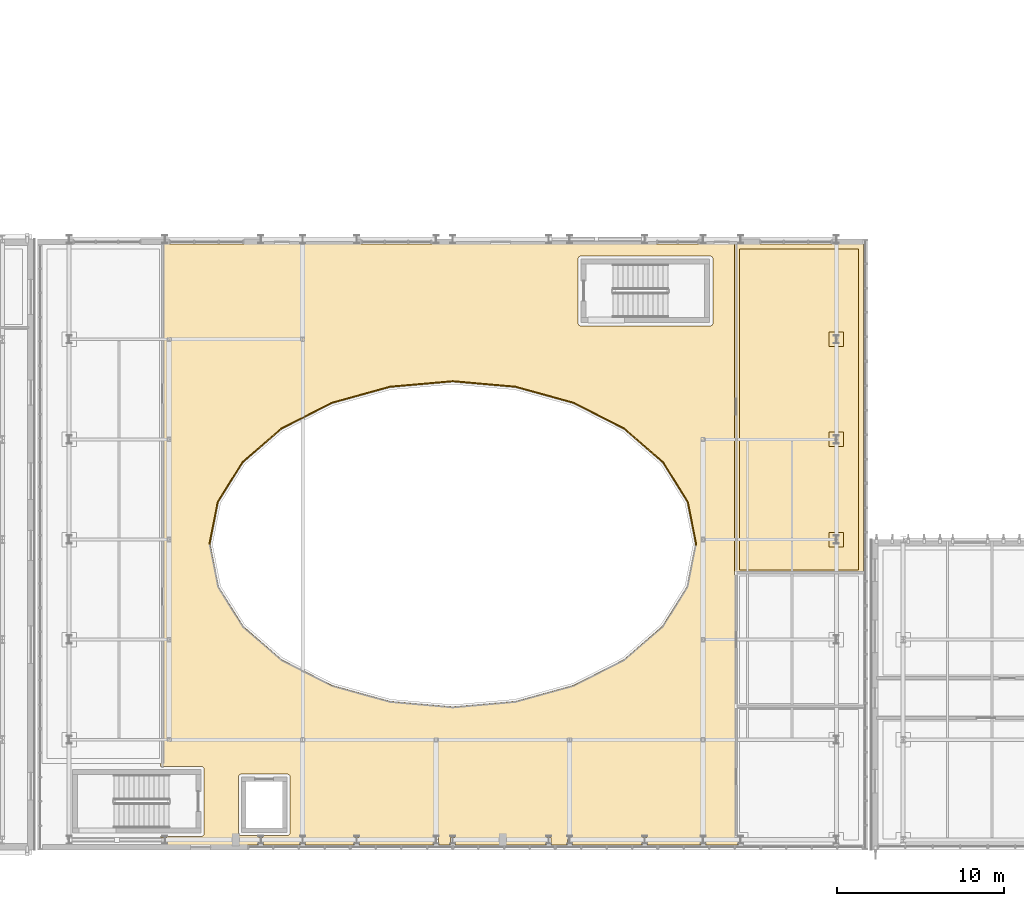
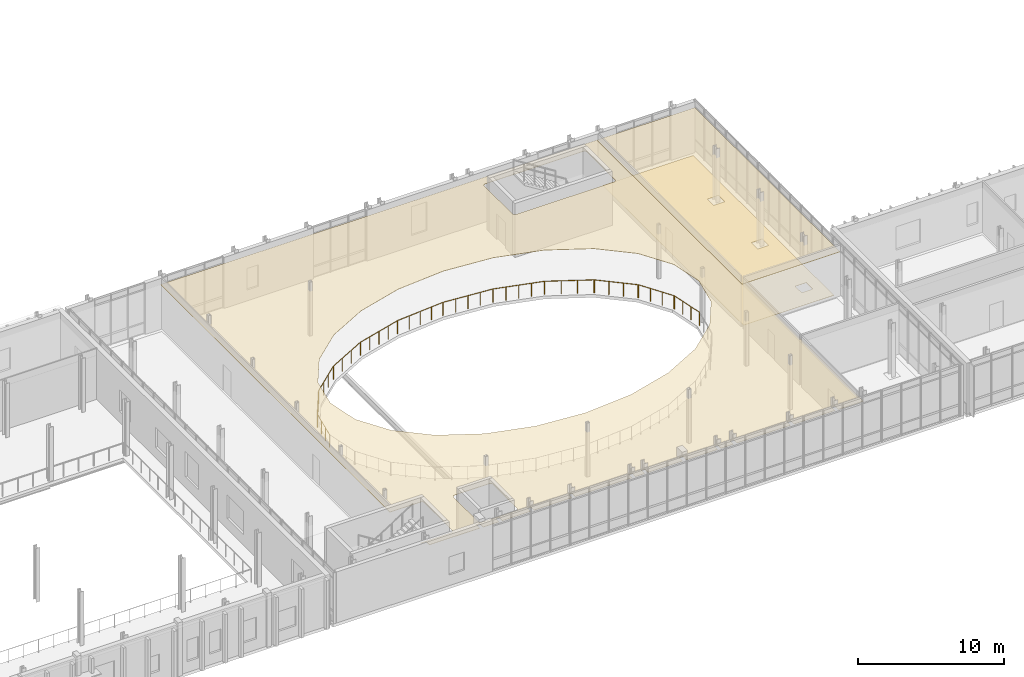
# One storey, part 90 of 100: 3 coverings, 1 railing.
"""IFC4 building model written with IfcOpenShell, lengths in metres."""

import ifcopenshell
import ifcopenshell.guid

model = None  # the IFC model being written
_history = None  # IfcOwnerHistory: only IFC2X3 demands one
_inside = {}  # id of a spatial element -> (the spatial element, [elements in it])
_under = {}  # id of a project, library or spatial element -> (it, [spatial elements below it])
_declared = {}  # id of a project -> (the project, [libraries it declares])
_typed = {}  # id of a type object -> (the type object, [elements of that type])
_made_of = {}  # id of a material, layer set ... -> (it, [elements and type objects made of it])


def new_model(schema):
    """Start an empty IFC model of exactly this schema.

    Asked for "IFC4X3", IfcOpenShell would pick the latest addendum, in which some entities
    have other attributes; the version numbers below select the first issue.
    IFC2X3 requires an IfcOwnerHistory on every rooted entity: one is made here for all.
    """
    global model, _history
    if schema == "IFC4X3":
        model = ifcopenshell.file(schema_version=(4, 3, 0, 0))
    else:
        model = ifcopenshell.file(schema=schema)
    _inside.clear()
    _under.clear()
    _declared.clear()
    _typed.clear()
    _made_of.clear()
    _history = None
    if model.schema == "IFC2X3":
        org = make("IfcOrganization", Name="unknown")
        user = make(
            "IfcPersonAndOrganization",
            ThePerson=make("IfcPerson", FamilyName="unknown"),
            TheOrganization=org,
        )
        app = make(
            "IfcApplication",
            ApplicationDeveloper=org,
            Version="unknown",
            ApplicationFullName="unknown",
            ApplicationIdentifier="unknown",
        )
        _history = make(
            "IfcOwnerHistory",
            OwningUser=user,
            OwningApplication=app,
            ChangeAction="ADDED",
            CreationDate=0,
        )
    return model


def make(cls, **values):
    """One entity of the class cls with the attributes given. An attribute that is None is left unset."""
    return model.create_entity(
        cls, **{name: value for name, value in values.items() if value is not None}
    )


def rooted(cls, **values):
    """An entity with a GlobalId (a new one), such as an element, a storey or a relation."""
    return make(cls, GlobalId=ifcopenshell.guid.new(), OwnerHistory=_history, **values)


def si_unit(unit_type, name, prefix=None):
    """IfcSIUnit, for example si_unit("LENGTHUNIT", "METRE", prefix="MILLI")."""
    return make("IfcSIUnit", UnitType=unit_type, Prefix=prefix, Name=name)


def assignment(units):
    """IfcUnitAssignment: the units of a project."""
    return None if units is None else make("IfcUnitAssignment", Units=units)


def point(xyz):
    """IfcCartesianPoint."""
    return None if xyz is None else make("IfcCartesianPoint", Coordinates=xyz)


def direction(xyz):
    """IfcDirection."""
    return None if xyz is None else make("IfcDirection", DirectionRatios=xyz)


def frame(location, z_axis=None, x_axis=None):
    """IfcAxis2Placement3D, a coordinate frame: its origin and axes. An axis left out is left unset."""
    return make(
        "IfcAxis2Placement3D",
        Location=point(location),
        Axis=direction(z_axis),
        RefDirection=direction(x_axis),
    )


def frame_2d(location, x_axis=None):
    """IfcAxis2Placement2D, a coordinate frame in the plane: its origin and x axis."""
    return make(
        "IfcAxis2Placement2D", Location=point(location), RefDirection=direction(x_axis)
    )


def origin():
    """The frame at (0, 0, 0) with its axes left unset."""
    return frame((0.0, 0.0, 0.0))


def origin_2d():
    """The frame at (0, 0) in the plane with its x axis left unset."""
    return frame_2d((0.0, 0.0))


def place(relative_to, where):
    """IfcLocalPlacement: puts the frame where relative to a parent placement (None: the world)."""
    return make(
        "IfcLocalPlacement", PlacementRelTo=relative_to, RelativePlacement=where
    )


def context(
    kind, dimensions, precision=None, world=None, true_north=None, identifier=None
):
    """IfcGeometricRepresentationContext, for example the 3D "Model" context."""
    return make(
        "IfcGeometricRepresentationContext",
        ContextIdentifier=identifier,
        ContextType=kind,
        CoordinateSpaceDimension=dimensions,
        Precision=precision,
        WorldCoordinateSystem=world,
        TrueNorth=true_north,
    )


def subcontext(parent, identifier, kind, view, scale=None):
    """IfcGeometricRepresentationSubContext, for example "Body" below "Model"."""
    return make(
        "IfcGeometricRepresentationSubContext",
        ContextIdentifier=identifier,
        ContextType=kind,
        ParentContext=parent,
        TargetScale=scale,
        TargetView=view,
    )


def project(units=None, contexts=None):
    """IfcProject with its units and contexts."""
    return rooted(
        "IfcProject",
        Name="project",
        RepresentationContexts=contexts,
        UnitsInContext=assignment(units),
    )


def spatial(cls, under=None, at=None, **own):
    """A site, building, storey or space (cls), placed at a placement, below another one or the project."""
    s = rooted(cls, ObjectPlacement=at, **own)
    if under is not None:
        _under.setdefault(under.id(), (under, []))[1].append(s)
    return s


def polyline(points):
    """IfcPolyline through the points."""
    return make("IfcPolyline", Points=[point(p) for p in points])


def profile(cls, at=None, kind="AREA", **sizes):
    """A parametric profile (cls). Its sizes go by their IFC names, for example OverallWidth=200.0."""
    return make(cls, ProfileType=kind, Position=at, **sizes)


def circle(**sizes):
    """IfcCircleProfileDef."""
    return profile("IfcCircleProfileDef", **sizes)


def outline(outer, holes=None, kind="AREA"):
    """IfcArbitraryClosedProfileDef: a profile drawn as a closed curve; with holes, ...WithVoids."""
    if holes is None:
        return make("IfcArbitraryClosedProfileDef", ProfileType=kind, OuterCurve=outer)
    return make(
        "IfcArbitraryProfileDefWithVoids",
        ProfileType=kind,
        OuterCurve=outer,
        InnerCurves=holes,
    )


def extrude(swept, where, along, depth):
    """IfcExtrudedAreaSolid: the profile swept, set in the frame where, extruded along a direction by depth."""
    return make(
        "IfcExtrudedAreaSolid",
        SweptArea=swept,
        Position=where,
        ExtrudedDirection=direction(along),
        Depth=depth,
    )


def shape(context_of_items, identifier, shape_type, items):
    """IfcShapeRepresentation: the items that make up one representation, for example the "Body"."""
    return make(
        "IfcShapeRepresentation",
        ContextOfItems=context_of_items,
        RepresentationIdentifier=identifier,
        RepresentationType=shape_type,
        Items=items,
    )


def material(Name=None, Category=None):
    """IfcMaterial."""
    return make("IfcMaterial", Name=Name, Category=Category)


def layer(
    of_material, thickness, ventilated=None, Name=None, Category=None, Priority=None
):
    """IfcMaterialLayer: one layer of a wall or slab, of a material (None: an air gap)."""
    return make(
        "IfcMaterialLayer",
        Material=of_material,
        LayerThickness=thickness,
        IsVentilated=ventilated,
        Name=Name,
        Category=Category,
        Priority=Priority,
    )


def layer_set(layers, Name=None):
    """IfcMaterialLayerSet."""
    return make("IfcMaterialLayerSet", MaterialLayers=layers, LayerSetName=Name)


def made_of(thing, what):
    """Note that an element or type object is made of a material, layer set ...; save() writes the relation."""
    if what is not None:
        _made_of.setdefault(what.id(), (what, []))[1].append(thing)
    return thing


def type_object(cls, material=None, **own):
    """A type object (cls), such as IfcWallType, which elements share."""
    return made_of(rooted(cls, **own), material)


def element(
    cls,
    number,
    at=None,
    inside=None,
    cuts=None,
    type_object=None,
    material=None,
    context=None,
    identifier="Body",
    shape_type=None,
    held_by="IfcProductDefinitionShape",
    body=None,
    shapes=None,
    **own,
):
    """One element of the class cls, such as IfcWall. Its Tag is "e" and its number.

    at: its placement. inside: the storey or other place that contains it. cuts: it is an
    opening in that element (IfcRelVoidsElement). A single representation is given by context,
    identifier, shape_type and body (its items); several are given by shapes. held_by: the class
    of the entity that holds the representations. save() writes the other relations.
    """
    e = rooted(cls, Tag="e%d" % number, ObjectPlacement=at, **own)
    if body is not None:
        shapes = [shape(context, identifier, shape_type, body)]
    if shapes is not None:
        e.Representation = make(held_by, Representations=shapes)
    if inside is not None:
        _inside.setdefault(inside.id(), (inside, []))[1].append(e)
    if cuts is not None:
        rooted(
            "IfcRelVoidsElement", RelatingBuildingElement=cuts, RelatedOpeningElement=e
        )
    if type_object is not None:
        _typed.setdefault(type_object.id(), (type_object, []))[1].append(e)
    return made_of(e, material)


def aggregate(whole, parts):
    """IfcRelAggregates: a whole, such as a stair, and the parts it consists of."""
    return rooted("IfcRelAggregates", RelatingObject=whole, RelatedObjects=parts)


def save(model, path):
    """Write the relations noted so far, then the file.

    IfcRelAggregates (storeys below a building ...), IfcRelContainedInSpatialStructure (elements
    in a storey), IfcRelDefinesByType, IfcRelAssociatesMaterial and IfcRelDeclares: one each for
    every whole, place, type object, material and project.
    """
    for whole, parts in _under.values():
        aggregate(whole, parts)
    for where, things in _inside.values():
        rooted(
            "IfcRelContainedInSpatialStructure",
            RelatedElements=things,
            RelatingStructure=where,
        )
    for kind, things in _typed.values():
        rooted("IfcRelDefinesByType", RelatedObjects=things, RelatingType=kind)
    for what, things in _made_of.values():
        rooted("IfcRelAssociatesMaterial", RelatedObjects=things, RelatingMaterial=what)
    for by, libraries in _declared.values():
        rooted("IfcRelDeclares", RelatingContext=by, RelatedDefinitions=libraries)
    model.write(path)


model = new_model("IFC4")

# Units and contexts
model_context = context("Model", 3, precision=1e-05, world=origin(), true_north=direction((0.0, 1.0)))
body_context = subcontext(model_context, "Body", "Model", "MODEL_VIEW")
ifc_project = project(units=[si_unit("LENGTHUNIT", "METRE"), si_unit("AREAUNIT", "SQUARE_METRE"), si_unit("VOLUMEUNIT", "CUBIC_METRE"), si_unit("PLANEANGLEUNIT", "RADIAN"), si_unit("MASSUNIT", "GRAM", prefix="KILO")], contexts=[model_context])

# Site, building, storey
site_placement = place(None, origin())
site = spatial("IfcSite", under=ifc_project, at=site_placement, CompositionType="ELEMENT")
building_placement = place(site_placement, origin())
building = spatial("IfcBuilding", under=site, at=building_placement, Name="Cymarion Research Institute", CompositionType="ELEMENT")
storey_placement = place(building_placement, frame((0.0, 0.0, 9.300048828125)))
storey = spatial("IfcBuildingStorey", under=building, at=storey_placement, Name="L02", CompositionType="ELEMENT", Elevation=9.300048828125)

# Coverings
ifc_material_1 = material(Name="Micro-perforated mineral acoustic ceiling tile", Category="gypsum")
ifc_layer_1 = layer(ifc_material_1, 0.030029296875)
ifc_layer_set_1 = layer_set([ifc_layer_1], Name="Micro-perforated mineral acoustic ceiling tile")
covering_type_1 = type_object("IfcCoveringType", Name="ACOUSTIC MICRO-PERFORATED SUSPENDED CEILING CLG-01", PredefinedType="CEILING", material=ifc_layer_set_1)
covering_1_placement = place(storey_placement, frame((0.0, 0.0, 3.699951171875)))
element("IfcCovering", 1, at=covering_1_placement, inside=storey, type_object=covering_type_1, Name="L02 L02 Curved Interaction Atrium Collaboration Gallery acoustic ceiling", PredefinedType="CEILING", context=body_context, shape_type="SweptSolid", body=[
    extrude(outline(polyline([(62.0849609375, 41.215087890625), (96.715087890625, 41.215087890625), (96.715087890625, 5.18505859375), (94.735107421875, 5.18505859375), (94.735107421875, 5.635009765625), (94.465087890625, 5.635009765625), (94.465087890625, 5.18505859375), (91.235107421875, 5.18505859375), (91.235107421875, 5.635009765625), (90.965087890625, 5.635009765625), (90.965087890625, 5.18505859375), (86.735107421875, 5.18505859375), (86.735107421875, 5.635009765625), (86.465087890625, 5.635009765625), (86.465087890625, 5.18505859375), (85.485107421875, 5.18505859375), (85.485107421875, 5.635009765625), (85.215087890625, 5.635009765625), (85.215087890625, 5.18505859375), (82.735107421875, 5.18505859375), (82.735107421875, 5.635009765625), (82.465087890625, 5.635009765625), (82.465087890625, 5.18505859375), (79.735107421875, 5.18505859375), (79.735107421875, 5.635009765625), (79.465087890625, 5.635009765625), (79.465087890625, 5.18505859375), (78.735107421875, 5.18505859375), (78.735107421875, 5.635009765625), (78.465087890625, 5.635009765625), (78.465087890625, 5.18505859375), (73.985107421875, 5.18505859375), (73.985107421875, 5.635009765625), (73.715087890625, 5.635009765625), (73.715087890625, 5.18505859375), (70.735107421875, 5.18505859375), (70.735107421875, 5.635009765625), (70.465087890625, 5.635009765625), (70.465087890625, 5.18505859375), (68.235107421875, 5.18505859375), (68.235107421875, 5.635009765625), (67.965087890625, 5.635009765625), (67.965087890625, 5.18505859375), (66.735107421875, 5.18505859375), (66.735107421875, 5.635009765625), (66.465087890625, 5.635009765625), (66.465087890625, 5.18505859375), (62.485107421875, 5.18505859375), (62.485107421875, 5.635009765625), (62.0849609375, 5.635009765625), (62.0849609375, 5.699951171875), (64.5, 5.699951171875), (64.51953125, 5.700927734375), (64.5390625, 5.703857421875), (64.55810546875, 5.70849609375), (64.576416015625, 5.715087890625), (64.59423828125, 5.7236328125), (64.611083984375, 5.733642578125), (64.626953125, 5.745361328125), (64.641357421875, 5.758544921875), (64.654541015625, 5.773193359375), (64.666259765625, 5.788818359375), (64.676513671875, 5.8056640625), (64.684814453125, 5.823486328125), (64.69140625, 5.841796875), (64.6962890625, 5.861083984375), (64.698974609375, 5.88037109375), (64.699951171875, 5.89990234375), (64.699951171875, 9.699951171875), (64.698974609375, 9.719482421875), (64.6962890625, 9.739013671875), (64.69140625, 9.758056640625), (64.684814453125, 9.776611328125), (64.676513671875, 9.794189453125), (64.666259765625, 9.81103515625), (64.654541015625, 9.826904296875), (64.641357421875, 9.84130859375), (64.626953125, 9.8544921875), (64.611083984375, 9.8662109375), (64.59423828125, 9.87646484375), (64.576416015625, 9.884765625), (64.55810546875, 9.891357421875), (64.5390625, 9.896240234375), (64.51953125, 9.89892578125), (64.5, 9.89990234375), (62.0849609375, 9.89990234375), (62.0849609375, 41.215087890625)]), holes=[polyline([(93.643798828125, 25.7001953125), (93.618408203125, 25.764892578125), (92.1640625, 28.09619140625), (89.857421875, 30.099365234375), (86.82421875, 31.647216796875), (83.350830078125, 32.605224609375), (79.60009765625, 32.9345703125), (75.84912109375, 32.605224609375), (72.375732421875, 31.647216796875), (69.342529296875, 30.099365234375), (67.035888671875, 28.09619140625), (65.581787109375, 25.764892578125), (65.55615234375, 25.700439453125), (65.0673828125, 23.199951171875), (65.55615234375, 20.69970703125), (65.581787109375, 20.635009765625), (67.035888671875, 18.303955078125), (69.342529296875, 16.30078125), (72.375732421875, 14.7529296875), (75.84912109375, 13.794677734375), (79.60009765625, 13.465576171875), (83.350830078125, 13.794677734375), (86.82421875, 14.7529296875), (89.857421875, 16.30078125), (92.1640625, 18.303955078125), (93.618408203125, 20.635009765625), (93.643798828125, 20.69970703125), (94.130859375, 23.165283203125), (94.13330078125, 23.216064453125), (93.643798828125, 25.7001953125)]), polyline([(66.910888671875, 5.75390625), (66.930419921875, 5.7509765625), (66.949951171875, 5.75), (69.64990234375, 5.75), (69.669677734375, 5.7509765625), (69.68896484375, 5.75390625), (69.7080078125, 5.758544921875), (69.7265625, 5.76513671875), (69.744384765625, 5.773681640625), (69.760986328125, 5.78369140625), (69.77685546875, 5.79541015625), (69.79150390625, 5.80859375), (69.8046875, 5.822998046875), (69.81640625, 5.8388671875), (69.826416015625, 5.855712890625), (69.834716796875, 5.87353515625), (69.84130859375, 5.891845703125), (69.84619140625, 5.910888671875), (69.84912109375, 5.930419921875), (69.85009765625, 5.949951171875), (69.85009765625, 9.25), (69.84912109375, 9.26953125), (69.84619140625, 9.2890625), (69.84130859375, 9.30810546875), (69.834716796875, 9.326416015625), (69.826416015625, 9.34423828125), (69.81640625, 9.361083984375), (69.8046875, 9.376953125), (69.79150390625, 9.391357421875), (69.77685546875, 9.404541015625), (69.760986328125, 9.416259765625), (69.744384765625, 9.426513671875), (69.7265625, 9.434814453125), (69.7080078125, 9.44140625), (69.68896484375, 9.4462890625), (69.669677734375, 9.448974609375), (69.64990234375, 9.449951171875), (66.949951171875, 9.449951171875), (66.930419921875, 9.448974609375), (66.910888671875, 9.4462890625), (66.891845703125, 9.44140625), (66.87353515625, 9.434814453125), (66.855712890625, 9.426513671875), (66.8388671875, 9.416259765625), (66.822998046875, 9.404541015625), (66.80859375, 9.391357421875), (66.79541015625, 9.376953125), (66.78369140625, 9.361083984375), (66.773681640625, 9.34423828125), (66.76513671875, 9.326416015625), (66.758544921875, 9.30810546875), (66.75390625, 9.2890625), (66.7509765625, 9.26953125), (66.75, 9.25), (66.75, 5.949951171875), (66.7509765625, 5.930419921875), (66.75390625, 5.910888671875), (66.758544921875, 5.891845703125), (66.76513671875, 5.87353515625), (66.773681640625, 5.855712890625), (66.78369140625, 5.8388671875), (66.79541015625, 5.822998046875), (66.80859375, 5.80859375), (66.822998046875, 5.79541015625), (66.8388671875, 5.78369140625), (66.855712890625, 5.773681640625), (66.87353515625, 5.76513671875), (66.891845703125, 5.758544921875), (66.910888671875, 5.75390625)]), polyline([(87.241943359375, 36.30859375), (87.260986328125, 36.3037109375), (87.280517578125, 36.301025390625), (87.300048828125, 36.300048828125), (95.0, 36.300048828125), (95.01953125, 36.301025390625), (95.0390625, 36.3037109375), (95.05810546875, 36.30859375), (95.076416015625, 36.315185546875), (95.09423828125, 36.323486328125), (95.111083984375, 36.333740234375), (95.126953125, 36.345458984375), (95.141357421875, 36.358642578125), (95.154541015625, 36.373046875), (95.166259765625, 36.388916015625), (95.176513671875, 36.40576171875), (95.184814453125, 36.423583984375), (95.19140625, 36.44189453125), (95.1962890625, 36.4609375), (95.198974609375, 36.48046875), (95.199951171875, 36.5), (95.199951171875, 40.300048828125), (95.198974609375, 40.319580078125), (95.1962890625, 40.339111328125), (95.19140625, 40.358154296875), (95.184814453125, 40.37646484375), (95.176513671875, 40.394287109375), (95.166259765625, 40.4111328125), (95.154541015625, 40.427001953125), (95.141357421875, 40.44140625), (95.126953125, 40.45458984375), (95.111083984375, 40.46630859375), (95.09423828125, 40.476318359375), (95.076416015625, 40.48486328125), (95.05810546875, 40.491455078125), (95.0390625, 40.49609375), (95.01953125, 40.4990234375), (95.0, 40.5), (87.300048828125, 40.5), (87.280517578125, 40.4990234375), (87.260986328125, 40.49609375), (87.241943359375, 40.491455078125), (87.223388671875, 40.48486328125), (87.205810546875, 40.476318359375), (87.18896484375, 40.46630859375), (87.173095703125, 40.45458984375), (87.15869140625, 40.44140625), (87.1455078125, 40.427001953125), (87.1337890625, 40.4111328125), (87.12353515625, 40.394287109375), (87.115234375, 40.37646484375), (87.108642578125, 40.358154296875), (87.103759765625, 40.339111328125), (87.10107421875, 40.319580078125), (87.10009765625, 40.300048828125), (87.10009765625, 36.5), (87.10107421875, 36.48046875), (87.103759765625, 36.4609375), (87.108642578125, 36.44189453125), (87.115234375, 36.423583984375), (87.12353515625, 36.40576171875), (87.1337890625, 36.388916015625), (87.1455078125, 36.373046875), (87.15869140625, 36.358642578125), (87.173095703125, 36.345458984375), (87.18896484375, 36.333740234375), (87.205810546875, 36.323486328125), (87.223388671875, 36.315185546875), (87.241943359375, 36.30859375)])]), origin(), (0.0, 0.0, 1.0), 0.030029296875),
])
covering_2_placement = place(storey_placement, frame((0.0, 0.0, 3.699951171875)))
element("IfcCovering", 2, at=covering_2_placement, inside=storey, type_object=covering_type_1, Name="L02 L02 Scientific Periodicals & Write-Up Reading Room acoustic ceiling", PredefinedType="CEILING", context=body_context, shape_type="SweptSolid", body=[
    extrude(outline(polyline([(104.215087890625, 41.215087890625), (104.215087890625, 21.385009765625), (96.485107421875, 21.385009765625), (96.485107421875, 41.215087890625), (104.215087890625, 41.215087890625)])), origin(), (0.0, 0.0, 1.0), 0.030029296875),
])

# Railing
ifc_material_2 = material(Name="Steel S355", Category="steel")
railing_type = type_object("IfcRailingType", Name="LAMINATED GLASS AND STEEL BALUSTRADE BAL1 1120MM", PredefinedType="BALUSTRADE", material=ifc_material_2)
railing_placement = place(storey_placement, frame((65.0234375, 23.23486328125, 0.0)))
element("IfcRailing", 3, at=railing_placement, inside=storey, type_object=railing_type, Name="L02 V2 Interaction Atrium curved gallery balustrade 2", PredefinedType="BALUSTRADE", context=body_context, shape_type="SweptSolid", body=[
    extrude(circle(Radius=0.02392578125, at=origin_2d()), frame((0.0, 0.0, 1.09619140625), z_axis=(0.193761219039, 0.981048719482, 0.0), x_axis=(-0.981048719482, 0.193761219039, 0.0)), (0.0, 0.0, 1.0), 2.53271484375),
    extrude(circle(Radius=0.02392578125, at=origin_2d()), frame((0.49072265625, 2.484619140625, 1.09619140625), z_axis=(0.239019047122, 0.971014878935, 0.0), x_axis=(-0.971014878935, 0.239019047122, 0.0)), (0.0, 0.0, 1.0), 0.016357421875),
    extrude(circle(Radius=0.02392578125, at=origin_2d()), frame((0.49462890625, 2.50048828125, 1.09619140625), z_axis=(0.316227766017, 0.948683298051, 0.0), x_axis=(-0.948683298051, 0.316227766017, 0.0)), (0.0, 0.0, 1.0), 0.01611328125),
    extrude(circle(Radius=0.02392578125, at=origin_2d()), frame((0.499755859375, 2.515869140625, 1.09619140625), z_axis=(0.410364677329, 0.911921505175, 0.0), x_axis=(-0.911921505175, 0.410364677329, 0.0)), (0.0, 0.0, 1.0), 0.01611328125),
    extrude(circle(Radius=0.02392578125, at=origin_2d()), frame((0.50634765625, 2.530517578125, 1.09619140625), z_axis=(0.48815286195, 0.872758147123, 0.0), x_axis=(-0.872758147123, 0.48815286195, 0.0)), (0.0, 0.0, 1.0), 0.0166015625),
    extrude(circle(Radius=0.02392578125, at=origin_2d()), frame((0.514404296875, 2.544921875, 1.09619140625), z_axis=(0.527750767252, 0.849399274585, 0.0), x_axis=(-0.849399274585, 0.527750767252, 0.0)), (0.0, 0.0, 1.0), 2.7255859375),
    extrude(circle(Radius=0.02392578125, at=origin_2d()), frame((1.952880859375, 4.860107421875, 1.09619140625), z_axis=(0.567101732998, 0.823647755069, 0.0), x_axis=(-0.823647755069, 0.567101732998, 0.0)), (0.0, 0.0, 1.0), 0.01806640625),
    extrude(circle(Radius=0.02392578125, at=origin_2d()), frame((1.963134765625, 4.875, 1.09619140625), z_axis=(0.657534246575, 0.753424657534, 0.0), x_axis=(-0.753424657534, 0.657534246575, 0.0)), (0.0, 0.0, 1.0), 0.017822265625),
    extrude(circle(Radius=0.02392578125, at=origin_2d()), frame((1.974853515625, 4.888427734375, 1.09619140625), z_axis=(0.707106781187, 0.707106781187, 0.0), x_axis=(-0.707106781187, 0.707106781187, 0.0)), (0.0, 0.0, 1.0), 0.01806640625),
    extrude(circle(Radius=0.02392578125, at=origin_2d()), frame((1.987548828125, 4.901123046875, 1.09619140625), z_axis=(0.75493658248, 0.655797801486, 0.0), x_axis=(-0.655797801486, 0.75493658248, 0.0)), (0.0, 0.0, 1.0), 3.031494140625),
    extrude(circle(Radius=0.02392578125, at=origin_2d()), frame((4.276123046875, 6.88916015625, 1.09619140625), z_axis=(0.790549812284, 0.61239774191, 0.0), x_axis=(-0.61239774191, 0.790549812284, 0.0)), (0.0, 0.0, 1.0), 0.02197265625),
    extrude(circle(Radius=0.02392578125, at=origin_2d()), frame((4.29345703125, 6.902587890625, 1.09619140625), z_axis=(0.863371944127, 0.504568019295, 0.0), x_axis=(-0.504568019295, 0.863371944127, 0.0)), (0.0, 0.0, 1.0), 0.021728515625),
    extrude(circle(Radius=0.02392578125, at=origin_2d()), frame((4.312255859375, 6.91357421875, 1.09619140625), z_axis=(0.890279086487, 0.455415357847, 0.0), x_axis=(-0.455415357847, 0.890279086487, 0.0)), (0.0, 0.0, 1.0), 3.35009765625),
    extrude(circle(Radius=0.02392578125, at=origin_2d()), frame((7.294677734375, 8.439208984375, 1.09619140625), z_axis=(0.914917801573, 0.403640206576, 0.0), x_axis=(-0.403640206576, 0.914917801573, 0.0)), (0.0, 0.0, 1.0), 0.01806640625),
    extrude(circle(Radius=0.02392578125, at=origin_2d()), frame((7.311279296875, 8.446533203125, 1.09619140625), z_axis=(0.947340570768, 0.32022779857, 0.0), x_axis=(-0.32022779857, 0.947340570768, 0.0)), (0.0, 0.0, 1.0), 0.018310546875),
    extrude(circle(Radius=0.02392578125, at=origin_2d()), frame((7.32861328125, 8.452392578125, 1.09619140625), z_axis=(0.963912913534, 0.266217758841, 0.0), x_axis=(-0.266217758841, 0.963912913534, 0.0)), (0.0, 0.0, 1.0), 3.603271484375),
    extrude(circle(Radius=0.02392578125, at=origin_2d()), frame((10.8017578125, 9.41162109375, 1.09619140625), z_axis=(0.977581781174, 0.210556075945, 0.0), x_axis=(-0.210556075945, 0.977581781174, 0.0)), (0.0, 0.0, 1.0), 0.01611328125),
    extrude(circle(Radius=0.02392578125, at=origin_2d()), frame((10.817626953125, 9.4150390625, 1.09619140625), z_axis=(0.991098234869, 0.133132598714, 0.0), x_axis=(-0.133132598714, 0.991098234869, 0.0)), (0.0, 0.0, 1.0), 0.0166015625),
    extrude(circle(Radius=0.02392578125, at=origin_2d()), frame((10.833984375, 9.417236328125, 1.09619140625), z_axis=(0.996169240604, 0.087446235336, 0.0), x_axis=(-0.087446235336, 0.996169240604, 0.0)), (0.0, 0.0, 1.0), 3.7412109375),
    extrude(circle(Radius=0.02392578125, at=origin_2d()), frame((14.560791015625, 9.744384765625, 1.09619140625), z_axis=(0.998936609849, 0.046104766608, 0.0), x_axis=(-0.046104766608, 0.998936609849, 0.0)), (0.0, 0.0, 1.0), 0.015869140625),
    extrude(circle(Radius=0.02392578125, at=origin_2d()), frame((14.57666015625, 9.7451171875, 1.09619140625), z_axis=(0.99890317437, -0.046823586299, 0.0), x_axis=(0.046823586299, 0.99890317437, 0.0)), (0.0, 0.0, 1.0), 0.015625),
    extrude(circle(Radius=0.02392578125, at=origin_2d()), frame((14.59228515625, 9.744384765625, 1.09619140625), z_axis=(0.996169739576, -0.087440550965, 0.0), x_axis=(0.087440550965, 0.996169739576, 0.0)), (0.0, 0.0, 1.0), 3.741455078125),
    extrude(circle(Radius=0.02392578125, at=origin_2d()), frame((18.3193359375, 9.417236328125, 1.09619140625), z_axis=(0.990830168044, -0.135113204733, 0.0), x_axis=(0.135113204733, 0.990830168044, 0.0)), (0.0, 0.0, 1.0), 0.016357421875),
    extrude(circle(Radius=0.02392578125, at=origin_2d()), frame((18.33544921875, 9.4150390625, 1.09619140625), z_axis=(0.978234125102, -0.207504208355, 0.0), x_axis=(0.207504208355, 0.978234125102, 0.0)), (0.0, 0.0, 1.0), 0.016357421875),
    extrude(circle(Radius=0.02392578125, at=origin_2d()), frame((18.3515625, 9.41162109375, 1.09619140625), z_axis=(0.963908110987, -0.26623514714, 0.0), x_axis=(0.26623514714, 0.963908110987, 0.0)), (0.0, 0.0, 1.0), 3.60302734375),
    extrude(circle(Radius=0.02392578125, at=origin_2d()), frame((21.824462890625, 8.452392578125, 1.09619140625), z_axis=(0.947340570768, -0.32022779857, 0.0), x_axis=(0.32022779857, 0.947340570768, 0.0)), (0.0, 0.0, 1.0), 0.018310546875),
    extrude(circle(Radius=0.02392578125, at=origin_2d()), frame((21.841796875, 8.446533203125, 1.09619140625), z_axis=(0.917070056253, -0.398726111414, 0.0), x_axis=(0.398726111414, 0.917070056253, 0.0)), (0.0, 0.0, 1.0), 0.018310546875),
    extrude(circle(Radius=0.02392578125, at=origin_2d()), frame((21.858642578125, 8.439208984375, 1.09619140625), z_axis=(0.890263969865, -0.455444907711, 0.0), x_axis=(0.455444907711, 0.890263969865, 0.0)), (0.0, 0.0, 1.0), 3.349853515625),
    extrude(circle(Radius=0.02392578125, at=origin_2d()), frame((24.8408203125, 6.91357421875, 1.09619140625), z_axis=(0.863371944127, -0.504568019295, 0.0), x_axis=(0.504568019295, 0.863371944127, 0.0)), (0.0, 0.0, 1.0), 0.021728515625),
    extrude(circle(Radius=0.02392578125, at=origin_2d()), frame((24.859619140625, 6.902587890625, 1.09619140625), z_axis=(0.790549812284, -0.61239774191, 0.0), x_axis=(0.61239774191, 0.790549812284, 0.0)), (0.0, 0.0, 1.0), 0.02197265625),
    extrude(circle(Radius=0.02392578125, at=origin_2d()), frame((24.876953125, 6.88916015625, 1.09619140625), z_axis=(0.75493658248, -0.655797801486, 0.0), x_axis=(0.655797801486, 0.75493658248, 0.0)), (0.0, 0.0, 1.0), 3.031494140625),
    extrude(circle(Radius=0.02392578125, at=origin_2d()), frame((27.16552734375, 4.901123046875, 1.09619140625), z_axis=(0.713808759938, -0.700340670128, 0.0), x_axis=(0.700340670128, 0.713808759938, 0.0)), (0.0, 0.0, 1.0), 0.01806640625),
    extrude(circle(Radius=0.02392578125, at=origin_2d()), frame((27.178466796875, 4.888427734375, 1.09619140625), z_axis=(0.649652327582, -0.760231447171, 0.0), x_axis=(0.760231447171, 0.649652327582, 0.0)), (0.0, 0.0, 1.0), 0.017578125),
    extrude(circle(Radius=0.02392578125, at=origin_2d()), frame((27.18994140625, 4.875, 1.09619140625), z_axis=(0.567101732998, -0.823647755069, 0.0), x_axis=(0.823647755069, 0.567101732998, 0.0)), (0.0, 0.0, 1.0), 0.01806640625),
    extrude(circle(Radius=0.02392578125, at=origin_2d()), frame((27.2001953125, 4.860107421875, 1.09619140625), z_axis=(0.527750767252, -0.849399274585, 0.0), x_axis=(0.849399274585, 0.527750767252, 0.0)), (0.0, 0.0, 1.0), 2.7255859375),
    extrude(circle(Radius=0.02392578125, at=origin_2d()), frame((28.638671875, 2.544921875, 1.09619140625), z_axis=(0.48815286195, -0.872758147123, 0.0), x_axis=(0.872758147123, 0.48815286195, 0.0)), (0.0, 0.0, 1.0), 0.0166015625),
    extrude(circle(Radius=0.02392578125, at=origin_2d()), frame((28.646728515625, 2.530517578125, 1.09619140625), z_axis=(0.410364677329, -0.911921505175, 0.0), x_axis=(0.911921505175, 0.410364677329, 0.0)), (0.0, 0.0, 1.0), 0.01611328125),
    extrude(circle(Radius=0.02392578125, at=origin_2d()), frame((28.6533203125, 2.515869140625, 1.09619140625), z_axis=(0.316227766017, -0.948683298051, 0.0), x_axis=(0.948683298051, 0.316227766017, 0.0)), (0.0, 0.0, 1.0), 0.01611328125),
    extrude(circle(Radius=0.02392578125, at=origin_2d()), frame((28.658447265625, 2.50048828125, 1.09619140625), z_axis=(0.239019047122, -0.971014878935, 0.0), x_axis=(0.971014878935, 0.239019047122, 0.0)), (0.0, 0.0, 1.0), 0.016357421875),
    extrude(circle(Radius=0.02392578125, at=origin_2d()), frame((28.662353515625, 2.484619140625, 1.09619140625), z_axis=(0.193761219039, -0.981048719482, 0.0), x_axis=(0.981048719482, 0.193761219039, 0.0)), (0.0, 0.0, 1.0), 2.53271484375),
    extrude(circle(Radius=0.02392578125, at=origin_2d()), frame((29.153076171875, 0.0, 1.09619140625), z_axis=(0.153102994509, -0.988210237284, 0.0), x_axis=(0.988210237284, 0.153102994509, 0.0)), (0.0, 0.0, 1.0), 0.017578125),
    extrude(circle(Radius=0.02392578125, at=origin_2d()), frame((29.15576171875, -0.017333984375, 1.09619140625), z_axis=(0.041630544712, -0.999133073092, 0.0), x_axis=(0.999133073092, 0.041630544712, 0.0)), (0.0, 0.0, 1.0), 0.017578125),
    extrude(circle(Radius=0.02392578125, at=origin_2d()), frame((29.156494140625, -0.034912109375, 1.09619140625), z_axis=(-0.042215852684, -0.999108513517, 0.0), x_axis=(0.999108513517, -0.042215852684, 0.0)), (0.0, 0.0, 1.0), 0.017333984375),
    extrude(circle(Radius=0.02392578125, at=origin_2d()), frame((29.15576171875, -0.05224609375, 1.09619140625), z_axis=(-0.151025398742, -0.988529882672, 0.0), x_axis=(0.988529882672, -0.151025398742, 0.0)), (0.0, 0.0, 1.0), 0.017822265625),
    extrude(circle(Radius=0.02099609375, at=origin_2d()), origin(), (0.0, 0.0, 1.0), 1.072021484375),
    extrude(circle(Radius=0.02099609375, at=origin_2d()), frame((0.16357421875, 0.828125, 0.0)), (0.0, 0.0, 1.0), 1.072021484375),
    extrude(circle(Radius=0.02099609375, at=origin_2d()), frame((0.3271484375, 1.656494140625, 0.0)), (0.0, 0.0, 1.0), 1.072021484375),
    extrude(circle(Radius=0.02099609375, at=origin_2d()), frame((0.49072265625, 2.484619140625, 0.0)), (0.0, 0.0, 1.0), 1.072021484375),
    extrude(circle(Radius=0.02099609375, at=origin_2d()), frame((0.49462890625, 2.50048828125, 0.0)), (0.0, 0.0, 1.0), 1.072021484375),
    extrude(circle(Radius=0.02099609375, at=origin_2d()), frame((0.499755859375, 2.515869140625, 0.0)), (0.0, 0.0, 1.0), 1.072021484375),
    extrude(circle(Radius=0.02099609375, at=origin_2d()), frame((0.50634765625, 2.530517578125, 0.0)), (0.0, 0.0, 1.0), 1.072021484375),
    extrude(circle(Radius=0.02099609375, at=origin_2d()), frame((0.514404296875, 2.544921875, 0.0)), (0.0, 0.0, 1.0), 1.072021484375),
    extrude(circle(Radius=0.02099609375, at=origin_2d()), frame((0.993896484375, 3.316650390625, 0.0)), (0.0, 0.0, 1.0), 1.072021484375),
    extrude(circle(Radius=0.02099609375, at=origin_2d()), frame((1.473388671875, 4.08837890625, 0.0)), (0.0, 0.0, 1.0), 1.072021484375),
    extrude(circle(Radius=0.02099609375, at=origin_2d()), frame((1.952880859375, 4.860107421875, 0.0)), (0.0, 0.0, 1.0), 1.072021484375),
    extrude(circle(Radius=0.02099609375, at=origin_2d()), frame((1.963134765625, 4.875, 0.0)), (0.0, 0.0, 1.0), 1.072021484375),
    extrude(circle(Radius=0.02099609375, at=origin_2d()), frame((1.974853515625, 4.888427734375, 0.0)), (0.0, 0.0, 1.0), 1.072021484375),
    extrude(circle(Radius=0.02099609375, at=origin_2d()), frame((1.987548828125, 4.901123046875, 0.0)), (0.0, 0.0, 1.0), 1.072021484375),
    extrude(circle(Radius=0.02099609375, at=origin_2d()), frame((2.75048828125, 5.563720703125, 0.0)), (0.0, 0.0, 1.0), 1.072021484375),
    extrude(circle(Radius=0.02099609375, at=origin_2d()), frame((3.51318359375, 6.2265625, 0.0)), (0.0, 0.0, 1.0), 1.072021484375),
    extrude(circle(Radius=0.02099609375, at=origin_2d()), frame((4.276123046875, 6.88916015625, 0.0)), (0.0, 0.0, 1.0), 1.072021484375),
    extrude(circle(Radius=0.02099609375, at=origin_2d()), frame((4.29345703125, 6.902587890625, 0.0)), (0.0, 0.0, 1.0), 1.072021484375),
    extrude(circle(Radius=0.02099609375, at=origin_2d()), frame((4.312255859375, 6.91357421875, 0.0)), (0.0, 0.0, 1.0), 1.072021484375),
    extrude(circle(Radius=0.02099609375, at=origin_2d()), frame((5.306396484375, 7.422119140625, 0.0)), (0.0, 0.0, 1.0), 1.072021484375),
    extrude(circle(Radius=0.02099609375, at=origin_2d()), frame((6.300537109375, 7.9306640625, 0.0)), (0.0, 0.0, 1.0), 1.072021484375),
    extrude(circle(Radius=0.02099609375, at=origin_2d()), frame((7.294677734375, 8.439208984375, 0.0)), (0.0, 0.0, 1.0), 1.072021484375),
    extrude(circle(Radius=0.02099609375, at=origin_2d()), frame((7.311279296875, 8.446533203125, 0.0)), (0.0, 0.0, 1.0), 1.072021484375),
    extrude(circle(Radius=0.02099609375, at=origin_2d()), frame((7.32861328125, 8.452392578125, 0.0)), (0.0, 0.0, 1.0), 1.072021484375),
    extrude(circle(Radius=0.02099609375, at=origin_2d()), frame((8.19677734375, 8.692138671875, 0.0)), (0.0, 0.0, 1.0), 1.072021484375),
    extrude(circle(Radius=0.02099609375, at=origin_2d()), frame((9.065185546875, 8.93212890625, 0.0)), (0.0, 0.0, 1.0), 1.072021484375),
    extrude(circle(Radius=0.02099609375, at=origin_2d()), frame((9.93359375, 9.171875, 0.0)), (0.0, 0.0, 1.0), 1.072021484375),
    extrude(circle(Radius=0.02099609375, at=origin_2d()), frame((10.8017578125, 9.41162109375, 0.0)), (0.0, 0.0, 1.0), 1.072021484375),
    extrude(circle(Radius=0.02099609375, at=origin_2d()), frame((10.817626953125, 9.4150390625, 0.0)), (0.0, 0.0, 1.0), 1.072021484375),
    extrude(circle(Radius=0.02099609375, at=origin_2d()), frame((10.833984375, 9.417236328125, 0.0)), (0.0, 0.0, 1.0), 1.072021484375),
    extrude(circle(Radius=0.02099609375, at=origin_2d()), frame((11.765625, 9.4990234375, 0.0)), (0.0, 0.0, 1.0), 1.072021484375),
    extrude(circle(Radius=0.02099609375, at=origin_2d()), frame((12.697265625, 9.580810546875, 0.0)), (0.0, 0.0, 1.0), 1.072021484375),
    extrude(circle(Radius=0.02099609375, at=origin_2d()), frame((13.629150390625, 9.66259765625, 0.0)), (0.0, 0.0, 1.0), 1.072021484375),
    extrude(circle(Radius=0.02099609375, at=origin_2d()), frame((14.560791015625, 9.744384765625, 0.0)), (0.0, 0.0, 1.0), 1.072021484375),
    extrude(circle(Radius=0.02099609375, at=origin_2d()), frame((14.57666015625, 9.7451171875, 0.0)), (0.0, 0.0, 1.0), 1.072021484375),
    extrude(circle(Radius=0.02099609375, at=origin_2d()), frame((14.59228515625, 9.744384765625, 0.0)), (0.0, 0.0, 1.0), 1.072021484375),
    extrude(circle(Radius=0.02099609375, at=origin_2d()), frame((15.52392578125, 9.66259765625, 0.0)), (0.0, 0.0, 1.0), 1.072021484375),
    extrude(circle(Radius=0.02099609375, at=origin_2d()), frame((16.455810546875, 9.580810546875, 0.0)), (0.0, 0.0, 1.0), 1.072021484375),
    extrude(circle(Radius=0.02099609375, at=origin_2d()), frame((17.3876953125, 9.4990234375, 0.0)), (0.0, 0.0, 1.0), 1.072021484375),
    extrude(circle(Radius=0.02099609375, at=origin_2d()), frame((18.3193359375, 9.417236328125, 0.0)), (0.0, 0.0, 1.0), 1.072021484375),
    extrude(circle(Radius=0.02099609375, at=origin_2d()), frame((18.33544921875, 9.4150390625, 0.0)), (0.0, 0.0, 1.0), 1.072021484375),
    extrude(circle(Radius=0.02099609375, at=origin_2d()), frame((18.3515625, 9.41162109375, 0.0)), (0.0, 0.0, 1.0), 1.072021484375),
    extrude(circle(Radius=0.02099609375, at=origin_2d()), frame((19.2197265625, 9.171875, 0.0)), (0.0, 0.0, 1.0), 1.072021484375),
    extrude(circle(Radius=0.02099609375, at=origin_2d()), frame((20.087890625, 8.93212890625, 0.0)), (0.0, 0.0, 1.0), 1.072021484375),
    extrude(circle(Radius=0.02099609375, at=origin_2d()), frame((20.956298828125, 8.692138671875, 0.0)), (0.0, 0.0, 1.0), 1.072021484375),
    extrude(circle(Radius=0.02099609375, at=origin_2d()), frame((21.824462890625, 8.452392578125, 0.0)), (0.0, 0.0, 1.0), 1.072021484375),
    extrude(circle(Radius=0.02099609375, at=origin_2d()), frame((21.841796875, 8.446533203125, 0.0)), (0.0, 0.0, 1.0), 1.072021484375),
    extrude(circle(Radius=0.02099609375, at=origin_2d()), frame((21.858642578125, 8.439208984375, 0.0)), (0.0, 0.0, 1.0), 1.072021484375),
    extrude(circle(Radius=0.02099609375, at=origin_2d()), frame((22.852783203125, 7.9306640625, 0.0)), (0.0, 0.0, 1.0), 1.072021484375),
    extrude(circle(Radius=0.02099609375, at=origin_2d()), frame((23.8466796875, 7.422119140625, 0.0)), (0.0, 0.0, 1.0), 1.072021484375),
    extrude(circle(Radius=0.02099609375, at=origin_2d()), frame((24.8408203125, 6.91357421875, 0.0)), (0.0, 0.0, 1.0), 1.072021484375),
    extrude(circle(Radius=0.02099609375, at=origin_2d()), frame((24.859619140625, 6.902587890625, 0.0)), (0.0, 0.0, 1.0), 1.072021484375),
    extrude(circle(Radius=0.02099609375, at=origin_2d()), frame((24.876953125, 6.88916015625, 0.0)), (0.0, 0.0, 1.0), 1.072021484375),
    extrude(circle(Radius=0.02099609375, at=origin_2d()), frame((25.639892578125, 6.2265625, 0.0)), (0.0, 0.0, 1.0), 1.072021484375),
    extrude(circle(Radius=0.02099609375, at=origin_2d()), frame((26.402587890625, 5.563720703125, 0.0)), (0.0, 0.0, 1.0), 1.072021484375),
    extrude(circle(Radius=0.02099609375, at=origin_2d()), frame((27.16552734375, 4.901123046875, 0.0)), (0.0, 0.0, 1.0), 1.072021484375),
    extrude(circle(Radius=0.02099609375, at=origin_2d()), frame((27.178466796875, 4.888427734375, 0.0)), (0.0, 0.0, 1.0), 1.072021484375),
    extrude(circle(Radius=0.02099609375, at=origin_2d()), frame((27.18994140625, 4.875, 0.0)), (0.0, 0.0, 1.0), 1.072021484375),
    extrude(circle(Radius=0.02099609375, at=origin_2d()), frame((27.2001953125, 4.860107421875, 0.0)), (0.0, 0.0, 1.0), 1.072021484375),
    extrude(circle(Radius=0.02099609375, at=origin_2d()), frame((27.6796875, 4.08837890625, 0.0)), (0.0, 0.0, 1.0), 1.072021484375),
    extrude(circle(Radius=0.02099609375, at=origin_2d()), frame((28.1591796875, 3.316650390625, 0.0)), (0.0, 0.0, 1.0), 1.072021484375),
    extrude(circle(Radius=0.02099609375, at=origin_2d()), frame((28.638671875, 2.544921875, 0.0)), (0.0, 0.0, 1.0), 1.072021484375),
    extrude(circle(Radius=0.02099609375, at=origin_2d()), frame((28.646728515625, 2.530517578125, 0.0)), (0.0, 0.0, 1.0), 1.072021484375),
    extrude(circle(Radius=0.02099609375, at=origin_2d()), frame((28.6533203125, 2.515869140625, 0.0)), (0.0, 0.0, 1.0), 1.072021484375),
    extrude(circle(Radius=0.02099609375, at=origin_2d()), frame((28.658447265625, 2.50048828125, 0.0)), (0.0, 0.0, 1.0), 1.072021484375),
    extrude(circle(Radius=0.02099609375, at=origin_2d()), frame((28.662353515625, 2.484619140625, 0.0)), (0.0, 0.0, 1.0), 1.072021484375),
    extrude(circle(Radius=0.02099609375, at=origin_2d()), frame((28.825927734375, 1.656494140625, 0.0)), (0.0, 0.0, 1.0), 1.072021484375),
    extrude(circle(Radius=0.02099609375, at=origin_2d()), frame((28.989501953125, 0.828125, 0.0)), (0.0, 0.0, 1.0), 1.072021484375),
    extrude(circle(Radius=0.02099609375, at=origin_2d()), frame((29.153076171875, 0.0, 0.0)), (0.0, 0.0, 1.0), 1.072021484375),
    extrude(circle(Radius=0.02099609375, at=origin_2d()), frame((29.15576171875, -0.017333984375, 0.0)), (0.0, 0.0, 1.0), 1.072021484375),
    extrude(circle(Radius=0.02099609375, at=origin_2d()), frame((29.156494140625, -0.034912109375, 0.0)), (0.0, 0.0, 1.0), 1.072021484375),
    extrude(circle(Radius=0.02099609375, at=origin_2d()), frame((29.15576171875, -0.05224609375, 0.0)), (0.0, 0.0, 1.0), 1.072021484375),
    extrude(circle(Radius=0.02099609375, at=origin_2d()), frame((29.153076171875, -0.06982421875, 0.0)), (0.0, 0.0, 1.0), 1.072021484375),
])

# Covering
ifc_material_3 = material(Name="Seamless dissipative epoxy resin flooring", Category="resin")
ifc_layer_2 = layer(ifc_material_3, 0.02001953125)
ifc_layer_set_2 = layer_set([ifc_layer_2], Name="Seamless dissipative epoxy resin flooring")
covering_type_2 = type_object("IfcCoveringType", Name="SEAMLESS ESD EPOXY LABORATORY FLOORING FLR-01", PredefinedType="FLOORING", material=ifc_layer_set_2)
covering_3_placement = place(storey_placement, origin())
element("IfcCovering", 4, at=covering_3_placement, inside=storey, type_object=covering_type_2, Name="L02 L02 Scientific Periodicals & Write-Up Reading Room ESD epoxy flooring", PredefinedType="FLOORING", context=body_context, shape_type="SweptSolid", body=[
    extrude(outline(polyline([(96.784912109375, 40.9150390625), (103.9150390625, 40.9150390625), (103.9150390625, 21.68505859375), (96.784912109375, 21.68505859375), (96.784912109375, 40.9150390625)]), holes=[polyline([(103.034912109375, 23.93505859375), (102.1650390625, 23.93505859375), (102.1650390625, 23.06494140625), (103.034912109375, 23.06494140625), (103.034912109375, 23.93505859375)]), polyline([(103.034912109375, 29.93505859375), (102.1650390625, 29.93505859375), (102.1650390625, 29.06494140625), (103.034912109375, 29.06494140625), (103.034912109375, 29.93505859375)]), polyline([(103.034912109375, 35.93505859375), (102.1650390625, 35.93505859375), (102.1650390625, 35.06494140625), (103.034912109375, 35.06494140625), (103.034912109375, 35.93505859375)])]), origin(), (0.0, 0.0, 1.0), 0.02001953125),
])

save(model, "model.ifc")
